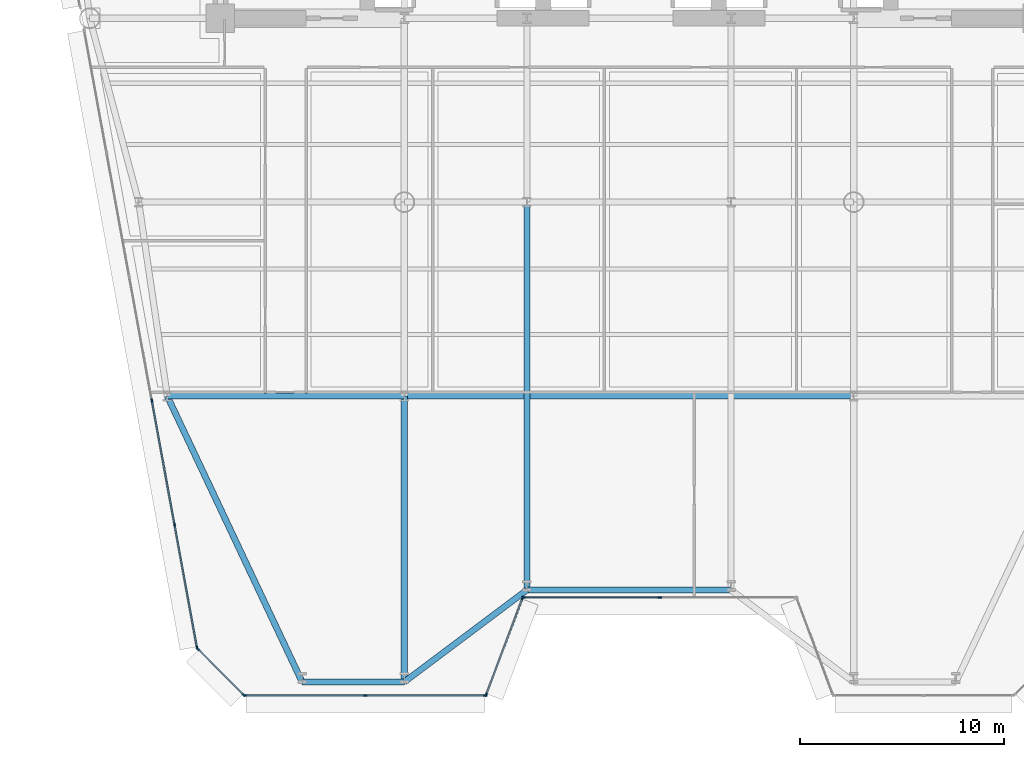
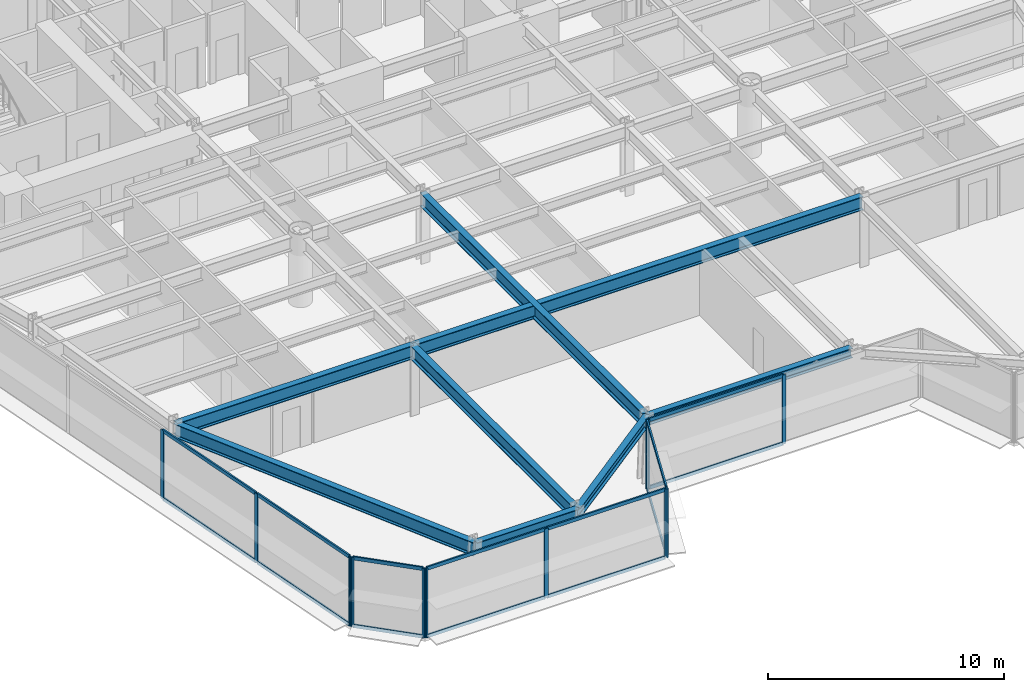
# One storey, part 2 of 14: 26 members, 8 beams, 5 elements without a shape of their own.
"""IFC4 building model written with IfcOpenShell, lengths in metres."""

from ifc_helpers import new_model, si_unit, direction, frame, origin, origin_2d, place, context, subcontext, project, spatial, rectangle, i_section, extrude, source, transform, mapped, material, layer, layer_set, material_profile, profile_set, type_object, element, aggregate, save


model = new_model("IFC4")

# Units and contexts
model_context = context("Model", 3, precision=1e-05, world=origin(), true_north=direction((0.0, 1.0)))
body_context = subcontext(model_context, "Body", "Model", "MODEL_VIEW")
ifc_project = project(units=[si_unit("LENGTHUNIT", "METRE"), si_unit("AREAUNIT", "SQUARE_METRE"), si_unit("VOLUMEUNIT", "CUBIC_METRE"), si_unit("PLANEANGLEUNIT", "RADIAN"), si_unit("MASSUNIT", "GRAM", prefix="KILO")], contexts=[model_context])

# Site, building, storey
site_placement = place(None, origin())
site = spatial("IfcSite", under=ifc_project, at=site_placement, CompositionType="ELEMENT")
building_placement = place(site_placement, origin())
building = spatial("IfcBuilding", under=site, at=building_placement, Name="Vaeldorn Concourse Tower", CompositionType="ELEMENT")
storey_placement = place(building_placement, frame((0.0, 0.0, 92.0)))
storey = spatial("IfcBuildingStorey", under=building, at=storey_placement, Name="L23", CompositionType="ELEMENT", Elevation=92.0)

# Beams
ifc_material_1 = material(Name="Steel S355", Category="steel")
ifc_material_profile_1 = material_profile(ifc_material_1, i_section(OverallWidth=0.300048828125, OverallDepth=0.5, WebThickness=0.014404296875, FlangeThickness=0.028076171875, FilletRadius=0.027099609375, at=origin_2d()), Name="HEB 500")
ifc_profile_set_1 = profile_set([ifc_material_profile_1], Name="Steel S355")
beam_type_1 = type_object("IfcBeamType", Name="BM-SP-HEB500", PredefinedType="SPANDREL", material=ifc_profile_set_1)
shared_shape_1 = source(origin(), body_context, "Body", "SweptSolid", [
    extrude(i_section(OverallWidth=0.300048828125, OverallDepth=0.5, WebThickness=0.014404296875, FlangeThickness=0.028076171875, FilletRadius=0.027099609375, at=origin_2d()), origin(), (0.0, 0.0, 1.0), 5.0),
])
beam_1_placement = place(storey_placement, frame((18.0, 4.008056640625, 3.330078125), z_axis=(1.0, 0.0, 0.0), x_axis=(0.0, 1.0, 0.0)))
element("IfcBeam", 1, at=beam_1_placement, inside=storey, type_object=beam_type_1, Name="Beam BM-L23-C-SF1-C-SF2", PredefinedType="SPANDREL", context=body_context, shape_type="MappedRepresentation", body=[
    mapped(shared_shape_1, transform((0.0, 0.0, 0.0), scale=1.0)),
])
shared_shape_2 = source(origin(), body_context, "Body", "SweptSolid", [
    extrude(i_section(OverallWidth=0.300048828125, OverallDepth=0.5, WebThickness=0.014404296875, FlangeThickness=0.028076171875, FilletRadius=0.027099609375, at=origin_2d()), origin(), (0.0, 0.0, 1.0), 7.5),
])
beam_2_placement = place(storey_placement, frame((23.0, 4.008056640625, 3.330078125), z_axis=(0.8, 0.6, 0.0), x_axis=(-0.6, 0.8, 0.0)))
element("IfcBeam", 2, at=beam_2_placement, inside=storey, type_object=beam_type_1, Name="Beam BM-L23-C-SF2-C-SF3", PredefinedType="SPANDREL", context=body_context, shape_type="MappedRepresentation", body=[
    mapped(shared_shape_2, transform((0.0, 0.0, 0.0), scale=1.0)),
])
shared_shape_3 = source(origin(), body_context, "Body", "SweptSolid", [
    extrude(i_section(OverallWidth=0.300048828125, OverallDepth=0.5, WebThickness=0.014404296875, FlangeThickness=0.028076171875, FilletRadius=0.027099609375, at=origin_2d()), origin(), (0.0, 0.0, 1.0), 10.0),
])
beam_3_placement = place(storey_placement, frame((29.0, 8.508056640625, 3.330078125), z_axis=(1.0, 0.0, 0.0), x_axis=(0.0, 1.0, 0.0)))
element("IfcBeam", 3, at=beam_3_placement, inside=storey, type_object=beam_type_1, Name="Beam BM-L23-C-SF3-C-SF4", PredefinedType="SPANDREL", context=body_context, shape_type="MappedRepresentation", body=[
    mapped(shared_shape_3, transform((0.0, 0.0, 0.0), scale=1.0)),
])
ifc_material_profile_2 = material_profile(ifc_material_1, i_section(OverallWidth=0.300048828125, OverallDepth=0.699951171875, WebThickness=0.01708984375, FlangeThickness=0.031982421875, FilletRadius=0.027099609375, at=origin_2d()), Name="HEB 700")
ifc_profile_set_2 = profile_set([ifc_material_profile_2], Name="Steel S355")
beam_type_2 = type_object("IfcBeamType", Name="BM-PG-HEB700", PredefinedType="BEAM", material=ifc_profile_set_2)
shared_shape_4 = source(origin(), body_context, "Body", "SweptSolid", [
    extrude(i_section(OverallWidth=0.300048828125, OverallDepth=0.699951171875, WebThickness=0.01708984375, FlangeThickness=0.031982421875, FilletRadius=0.027099609375, at=origin_2d()), origin(), (0.0, 0.0, 1.0), 11.60009765625),
])
beam_4_placement = place(storey_placement, frame((11.39990234375, 18.0, 3.22998046875), z_axis=(1.0, 0.0, 0.0), x_axis=(0.0, 1.0, 0.0)))
element("IfcBeam", 4, at=beam_4_placement, inside=storey, type_object=beam_type_2, Name="Beam BM-L23-C-FLW2-C-TW5", PredefinedType="BEAM", context=body_context, shape_type="MappedRepresentation", body=[
    mapped(shared_shape_4, transform((0.0, 0.0, 0.0), scale=1.0)),
])
shared_shape_5 = source(origin(), body_context, "Body", "SweptSolid", [
    extrude(i_section(OverallWidth=0.300048828125, OverallDepth=0.699951171875, WebThickness=0.01708984375, FlangeThickness=0.031982421875, FilletRadius=0.027099609375, at=origin_2d()), origin(), (0.0, 0.0, 1.0), 22.0),
])
beam_5_placement = place(storey_placement, frame((23.0, 18.0, 3.22998046875), z_axis=(1.0, 0.0, 0.0), x_axis=(0.0, 1.0, 0.0)))
element("IfcBeam", 5, at=beam_5_placement, inside=storey, type_object=beam_type_2, Name="Beam BM-L23-C-TW5-C-TW6", PredefinedType="BEAM", context=body_context, shape_type="MappedRepresentation", body=[
    mapped(shared_shape_5, transform((0.0, 0.0, 0.0), scale=1.0)),
])
shared_shape_6 = source(origin(), body_context, "Body", "SweptSolid", [
    extrude(i_section(OverallWidth=0.300048828125, OverallDepth=0.699951171875, WebThickness=0.01708984375, FlangeThickness=0.031982421875, FilletRadius=0.027099609375, at=origin_2d()), origin(), (0.0, 0.0, 1.0), 15.470458984375),
])
beam_6_placement = place(storey_placement, frame((18.0, 4.008056640625, 3.22998046875), z_axis=(-0.42662525191, 0.904428490502, 0.0), x_axis=(-0.904428490502, -0.42662525191, 0.0)))
element("IfcBeam", 6, at=beam_6_placement, inside=storey, type_object=beam_type_2, Name="Beam BM-L23-C-SF1-C-FLW2", PredefinedType="BEAM", context=body_context, shape_type="MappedRepresentation", body=[
    mapped(shared_shape_6, transform((0.0, 0.0, 0.0), scale=1.0)),
])
shared_shape_7 = source(origin(), body_context, "Body", "SweptSolid", [
    extrude(i_section(OverallWidth=0.300048828125, OverallDepth=0.699951171875, WebThickness=0.01708984375, FlangeThickness=0.031982421875, FilletRadius=0.027099609375, at=origin_2d()), origin(), (0.0, 0.0, 1.0), 13.991943359375),
])
beam_7_placement = place(storey_placement, frame((23.0, 4.008056640625, 3.22998046875), z_axis=(0.0, 1.0, 0.0), x_axis=(-1.0, 0.0, 0.0)))
element("IfcBeam", 7, at=beam_7_placement, inside=storey, type_object=beam_type_2, Name="Beam BM-L23-C-SF2-C-TW5", PredefinedType="BEAM", context=body_context, shape_type="MappedRepresentation", body=[
    mapped(shared_shape_7, transform((0.0, 0.0, 0.0), scale=1.0)),
])
shared_shape_8 = source(origin(), body_context, "Body", "SweptSolid", [
    extrude(i_section(OverallWidth=0.300048828125, OverallDepth=0.699951171875, WebThickness=0.01708984375, FlangeThickness=0.031982421875, FilletRadius=0.027099609375, at=origin_2d()), origin(), (0.0, 0.0, 1.0), 18.991943359375),
])
beam_8_placement = place(storey_placement, frame((29.0, 8.508056640625, 3.22998046875), z_axis=(0.0, 1.0, 0.0), x_axis=(-1.0, 0.0, 0.0)))
element("IfcBeam", 8, at=beam_8_placement, inside=storey, type_object=beam_type_2, Name="Beam BM-L23-C-SF3-C-TW2", PredefinedType="BEAM", context=body_context, shape_type="MappedRepresentation", body=[
    mapped(shared_shape_8, transform((0.0, 0.0, 0.0), scale=1.0)),
])

# Curtain wall, members
ifc_material_2 = material(Name="Anodised Bronze Aluminium", Category="aluminium")
ifc_layer = layer(ifc_material_2, 0.199951171875)
ifc_layer_set = layer_set([ifc_layer], Name="Anodised Bronze Aluminium")
curtain_wall_type = type_object("IfcCurtainWallType", Name="CW-SYS-02", PredefinedType="NOTDEFINED", material=ifc_layer_set)
curtain_wall_1_placement = place(storey_placement, origin())
curtain_wall_1 = element("IfcCurtainWall", 9, at=curtain_wall_1_placement, inside=storey, type_object=curtain_wall_type, Name="Unitised Curtain Wall CW-L23-E03-1", PredefinedType="NOTDEFINED")
ifc_material_profile_3 = material_profile(ifc_material_2, rectangle(XDim=0.074951171875, YDim=0.179931640625, at=origin_2d()), Name="CWT 75x180")
ifc_profile_set_3 = profile_set([ifc_material_profile_3], Name="Anodised Bronze Aluminium")
member_type_1 = type_object("IfcMemberType", Name="CWT-BRONZE-180", PredefinedType="USERDEFINED", material=ifc_profile_set_3)
shared_shape_9 = source(origin(), body_context, "Body", "SweptSolid", [
    extrude(rectangle(XDim=0.074951171875, YDim=0.179931640625, at=origin_2d()), origin(), (0.0, 0.0, 1.0), 6.58740234375),
])
member_1_placement = place(storey_placement, frame((28.875, 8.147216796875, 0.03759765625), z_axis=(1.0, 0.0, 0.0), x_axis=(0.0, 1.0, 0.0)))
member_1 = element("IfcMember", 10, at=member_1_placement, type_object=member_type_1, Name="CW-02 transom 1.1", ObjectType="TRANSOM", PredefinedType="USERDEFINED", context=body_context, shape_type="MappedRepresentation", body=[
    mapped(shared_shape_9, transform((0.0, 0.0, 0.0), scale=1.0)),
])
member_2_placement = place(storey_placement, frame((28.875, 8.147216796875, 3.54248046875), z_axis=(1.0, 0.0, 0.0), x_axis=(0.0, 1.0, 0.0)))
member_2 = element("IfcMember", 11, at=member_2_placement, type_object=member_type_1, Name="CW-02 transom 1.2", ObjectType="TRANSOM", PredefinedType="USERDEFINED", context=body_context, shape_type="MappedRepresentation", body=[
    mapped(shared_shape_9, transform((0.0, 0.0, 0.0), scale=1.0)),
])

curtain_wall_2_placement = place(storey_placement, origin())
curtain_wall_2 = element("IfcCurtainWall", 12, at=curtain_wall_2_placement, inside=storey, type_object=curtain_wall_type, Name="Unitised Curtain Wall CW-L23-E02-1", PredefinedType="NOTDEFINED")
shared_shape_10 = source(origin(), body_context, "Body", "SweptSolid", [
    extrude(rectangle(XDim=0.074951171875, YDim=0.179931640625, at=origin_2d()), origin(), (0.0, 0.0, 1.0), 4.9765625),
])
member_3_placement = place(storey_placement, frame((27.0263671875, 3.417236328125, 0.03759765625), z_axis=(0.351112688987, 0.936333209724, 0.0), x_axis=(-0.936333209724, 0.351112688987, 0.0)))
member_3 = element("IfcMember", 13, at=member_3_placement, type_object=member_type_1, Name="CW-02 transom 1.1", ObjectType="TRANSOM", PredefinedType="USERDEFINED", context=body_context, shape_type="MappedRepresentation", body=[
    mapped(shared_shape_10, transform((0.0, 0.0, 0.0), scale=1.0)),
])
member_4_placement = place(storey_placement, frame((27.0263671875, 3.417236328125, 3.54248046875), z_axis=(0.351112688987, 0.936333209724, 0.0), x_axis=(-0.936333209724, 0.351112688987, 0.0)))
member_4 = element("IfcMember", 14, at=member_4_placement, type_object=member_type_1, Name="CW-02 transom 1.2", ObjectType="TRANSOM", PredefinedType="USERDEFINED", context=body_context, shape_type="MappedRepresentation", body=[
    mapped(shared_shape_10, transform((0.0, 0.0, 0.0), scale=1.0)),
])

curtain_wall_3_placement = place(storey_placement, origin())
curtain_wall_3 = element("IfcCurtainWall", 15, at=curtain_wall_3_placement, inside=storey, type_object=curtain_wall_type, Name="Unitised Curtain Wall CW-L23-E12-1", PredefinedType="NOTDEFINED")
shared_shape_11 = source(origin(), body_context, "Body", "SweptSolid", [
    extrude(rectangle(XDim=0.074951171875, YDim=0.179931640625, at=origin_2d()), origin(), (0.0, 0.0, 1.0), 3.1025390625),
])
member_5_placement = place(storey_placement, frame((12.915771484375, 5.593994140625, 0.03759765625), z_axis=(0.707106781187, -0.707106781187, 0.0), x_axis=(0.707106781187, 0.707106781187, 0.0)))
member_5 = element("IfcMember", 16, at=member_5_placement, type_object=member_type_1, Name="CW-02 transom 1.1", ObjectType="TRANSOM", PredefinedType="USERDEFINED", context=body_context, shape_type="MappedRepresentation", body=[
    mapped(shared_shape_11, transform((0.0, 0.0, 0.0), scale=1.0)),
])
member_6_placement = place(storey_placement, frame((12.915771484375, 5.593994140625, 3.54248046875), z_axis=(0.707106781187, -0.707106781187, 0.0), x_axis=(0.707106781187, 0.707106781187, 0.0)))
member_6 = element("IfcMember", 17, at=member_6_placement, type_object=member_type_1, Name="CW-02 transom 1.2", ObjectType="TRANSOM", PredefinedType="USERDEFINED", context=body_context, shape_type="MappedRepresentation", body=[
    mapped(shared_shape_11, transform((0.0, 0.0, 0.0), scale=1.0)),
])

curtain_wall_4_placement = place(storey_placement, origin())
curtain_wall_4 = element("IfcCurtainWall", 18, at=curtain_wall_4_placement, inside=storey, type_object=curtain_wall_type, Name="Unitised Curtain Wall CW-L23-E01-1", PredefinedType="NOTDEFINED")
shared_shape_12 = source(origin(), body_context, "Body", "SweptSolid", [
    extrude(rectangle(XDim=0.074951171875, YDim=0.179931640625, at=origin_2d()), origin(), (0.0, 0.0, 1.0), 5.80615234375),
])
member_7_placement = place(storey_placement, frame((15.23779296875, 3.34716796875, 0.03759765625), z_axis=(1.0, 0.0, 0.0), x_axis=(0.0, 1.0, 0.0)))
member_7 = element("IfcMember", 19, at=member_7_placement, type_object=member_type_1, Name="CW-02 transom 1.1", ObjectType="TRANSOM", PredefinedType="USERDEFINED", context=body_context, shape_type="MappedRepresentation", body=[
    mapped(shared_shape_12, transform((0.0, 0.0, 0.0), scale=1.0)),
])
member_8_placement = place(storey_placement, frame((15.23779296875, 3.34716796875, 3.54248046875), z_axis=(1.0, 0.0, 0.0), x_axis=(0.0, 1.0, 0.0)))
member_8 = element("IfcMember", 20, at=member_8_placement, type_object=member_type_1, Name="CW-02 transom 1.2", ObjectType="TRANSOM", PredefinedType="USERDEFINED", context=body_context, shape_type="MappedRepresentation", body=[
    mapped(shared_shape_12, transform((0.0, 0.0, 0.0), scale=1.0)),
])
member_9_placement = place(storey_placement, frame((21.118896484375, 3.34716796875, 0.03759765625), z_axis=(1.0, 0.0, 0.0), x_axis=(0.0, 1.0, 0.0)))
member_9 = element("IfcMember", 21, at=member_9_placement, type_object=member_type_1, Name="CW-02 transom 2.1", ObjectType="TRANSOM", PredefinedType="USERDEFINED", context=body_context, shape_type="MappedRepresentation", body=[
    mapped(shared_shape_12, transform((0.0, 0.0, 0.0), scale=1.0)),
])
member_10_placement = place(storey_placement, frame((21.118896484375, 3.34716796875, 3.54248046875), z_axis=(1.0, 0.0, 0.0), x_axis=(0.0, 1.0, 0.0)))
member_10 = element("IfcMember", 22, at=member_10_placement, type_object=member_type_1, Name="CW-02 transom 2.2", ObjectType="TRANSOM", PredefinedType="USERDEFINED", context=body_context, shape_type="MappedRepresentation", body=[
    mapped(shared_shape_12, transform((0.0, 0.0, 0.0), scale=1.0)),
])
ifc_material_profile_4 = material_profile(ifc_material_2, rectangle(XDim=0.074951171875, YDim=0.18994140625, at=origin_2d()), Name="CWM 75x190")
ifc_profile_set_4 = profile_set([ifc_material_profile_4], Name="Anodised Bronze Aluminium")
member_type_2 = type_object("IfcMemberType", Name="CWM-BRONZE-190", PredefinedType="MULLION", material=ifc_profile_set_4)
shared_shape_13 = source(origin(), body_context, "Body", "SweptSolid", [
    extrude(rectangle(XDim=0.074951171875, YDim=0.18994140625, at=origin_2d()), origin(), (0.0, 0.0, 1.0), 3.580078125),
])
member_11_placement = place(storey_placement, frame((15.2001953125, 3.34716796875, 0.0), z_axis=(0.0, 0.0, 1.0), x_axis=(0.0, 1.0, 0.0)))
member_11 = element("IfcMember", 23, at=member_11_placement, type_object=member_type_2, Name="CW-02 mullion 1", PredefinedType="MULLION", context=body_context, shape_type="MappedRepresentation", body=[
    mapped(shared_shape_13, transform((0.0, 0.0, 0.0), scale=1.0)),
])
member_12_placement = place(storey_placement, frame((21.081298828125, 3.34716796875, 0.0), z_axis=(0.0, 0.0, 1.0), x_axis=(0.0, 1.0, 0.0)))
member_12 = element("IfcMember", 24, at=member_12_placement, type_object=member_type_2, Name="CW-02 mullion 2", PredefinedType="MULLION", context=body_context, shape_type="MappedRepresentation", body=[
    mapped(shared_shape_13, transform((0.0, 0.0, 0.0), scale=1.0)),
])
member_13_placement = place(storey_placement, frame((26.96240234375, 3.34716796875, 0.0), z_axis=(0.0, 0.0, 1.0), x_axis=(0.0, 1.0, 0.0)))
member_13 = element("IfcMember", 25, at=member_13_placement, type_object=member_type_2, Name="CW-02 mullion 3", PredefinedType="MULLION", context=body_context, shape_type="MappedRepresentation", body=[
    mapped(shared_shape_13, transform((0.0, 0.0, 0.0), scale=1.0)),
])
aggregate(curtain_wall_4, [member_11, member_12, member_13, member_7, member_8, member_9, member_10])

# Member
member_14_placement = place(storey_placement, frame((27.01318359375, 3.38232421875, 0.0), z_axis=(0.0, 0.0, 1.0), x_axis=(-0.936329177566, 0.351123441595, 0.0)))
member_14 = element("IfcMember", 26, at=member_14_placement, type_object=member_type_2, Name="CW-02 mullion 1", PredefinedType="MULLION", context=body_context, shape_type="MappedRepresentation", body=[
    mapped(shared_shape_13, transform((0.0, 0.0, 0.0), scale=1.0)),
])

member_15_placement = place(storey_placement, frame((28.786865234375, 8.112060546875, 0.0), z_axis=(0.0, 0.0, 1.0), x_axis=(-0.936329177566, 0.351123441595, 0.0)))
member_15 = element("IfcMember", 27, at=member_15_placement, type_object=member_type_2, Name="CW-02 mullion 2", PredefinedType="MULLION", context=body_context, shape_type="MappedRepresentation", body=[
    mapped(shared_shape_13, transform((0.0, 0.0, 0.0), scale=1.0)),
])

aggregate(curtain_wall_2, [member_14, member_15, member_3, member_4])

member_16_placement = place(storey_placement, frame((28.83740234375, 8.147216796875, 0.0), z_axis=(0.0, 0.0, 1.0), x_axis=(0.0, 1.0, 0.0)))
member_16 = element("IfcMember", 28, at=member_16_placement, type_object=member_type_2, Name="CW-02 mullion 1", PredefinedType="MULLION", context=body_context, shape_type="MappedRepresentation", body=[
    mapped(shared_shape_13, transform((0.0, 0.0, 0.0), scale=1.0)),
])

member_17_placement = place(storey_placement, frame((35.5, 8.147216796875, 0.0), z_axis=(0.0, 0.0, 1.0), x_axis=(0.0, 1.0, 0.0)))
member_17 = element("IfcMember", 29, at=member_17_placement, type_object=member_type_2, Name="CW-02 mullion 2", PredefinedType="MULLION", context=body_context, shape_type="MappedRepresentation", body=[
    mapped(shared_shape_13, transform((0.0, 0.0, 0.0), scale=1.0)),
])

aggregate(curtain_wall_1, [member_16, member_17, member_1, member_2])

# Curtain wall, members
curtain_wall_5_placement = place(storey_placement, origin())
curtain_wall_5 = element("IfcCurtainWall", 30, at=curtain_wall_5_placement, inside=storey, type_object=curtain_wall_type, Name="Unitised Curtain Wall CW-L23-E11-2", PredefinedType="NOTDEFINED")
member_18_placement = place(storey_placement, frame((10.646728515625, 17.781005859375, 0.0), z_axis=(0.0, 0.0, 1.0), x_axis=(0.983729411039, 0.179656466224, 0.0)))
member_18 = element("IfcMember", 31, at=member_18_placement, type_object=member_type_2, Name="CW-02 mullion 4", PredefinedType="MULLION", context=body_context, shape_type="MappedRepresentation", body=[
    mapped(shared_shape_13, transform((0.0, 0.0, 0.0), scale=1.0)),
])
member_19_placement = place(storey_placement, frame((11.754638671875, 11.714111328125, 0.0), z_axis=(0.0, 0.0, 1.0), x_axis=(0.983729411039, 0.179656466224, 0.0)))
member_19 = element("IfcMember", 32, at=member_19_placement, type_object=member_type_2, Name="CW-02 mullion 5", PredefinedType="MULLION", context=body_context, shape_type="MappedRepresentation", body=[
    mapped(shared_shape_13, transform((0.0, 0.0, 0.0), scale=1.0)),
])
member_20_placement = place(storey_placement, frame((12.85595703125, 5.68408203125, 0.0), z_axis=(0.0, 0.0, 1.0), x_axis=(0.983729411039, 0.179656466224, 0.0)))
member_20 = element("IfcMember", 33, at=member_20_placement, type_object=member_type_2, Name="CW-02 mullion 6", PredefinedType="MULLION", context=body_context, shape_type="MappedRepresentation", body=[
    mapped(shared_shape_13, transform((0.0, 0.0, 0.0), scale=1.0)),
])

# Member
member_21_placement = place(storey_placement, frame((12.88916015625, 5.62060546875, 0.0), z_axis=(0.0, 0.0, 1.0), x_axis=(0.707106781187, 0.707106781187, 0.0)))
member_21 = element("IfcMember", 34, at=member_21_placement, type_object=member_type_2, Name="CW-02 mullion 1", PredefinedType="MULLION", context=body_context, shape_type="MappedRepresentation", body=[
    mapped(shared_shape_13, transform((0.0, 0.0, 0.0), scale=1.0)),
])

member_22_placement = place(storey_placement, frame((15.13623046875, 3.37353515625, 0.0), z_axis=(0.0, 0.0, 1.0), x_axis=(0.707106781187, 0.707106781187, 0.0)))
member_22 = element("IfcMember", 35, at=member_22_placement, type_object=member_type_2, Name="CW-02 mullion 2", PredefinedType="MULLION", context=body_context, shape_type="MappedRepresentation", body=[
    mapped(shared_shape_13, transform((0.0, 0.0, 0.0), scale=1.0)),
])

aggregate(curtain_wall_3, [member_21, member_22, member_5, member_6])

shared_shape_14 = source(origin(), body_context, "Body", "SweptSolid", [
    extrude(rectangle(XDim=0.074951171875, YDim=0.179931640625, at=origin_2d()), origin(), (0.0, 0.0, 1.0), 6.0546875),
])
member_23_placement = place(storey_placement, frame((11.761474609375, 11.67724609375, 0.03759765625), z_axis=(0.179634083524, -0.983733498482, 0.0), x_axis=(0.983733498482, 0.179634083524, 0.0)))
member_23 = element("IfcMember", 36, at=member_23_placement, type_object=member_type_1, Name="CW-02 transom 5.1", ObjectType="TRANSOM", PredefinedType="USERDEFINED", context=body_context, shape_type="MappedRepresentation", body=[
    mapped(shared_shape_14, transform((0.0, 0.0, 0.0), scale=1.0)),
])

member_24_placement = place(storey_placement, frame((11.761474609375, 11.67724609375, 3.54248046875), z_axis=(0.179634083524, -0.983733498482, 0.0), x_axis=(0.983733498482, 0.179634083524, 0.0)))
member_24 = element("IfcMember", 37, at=member_24_placement, type_object=member_type_1, Name="CW-02 transom 5.2", ObjectType="TRANSOM", PredefinedType="USERDEFINED", context=body_context, shape_type="MappedRepresentation", body=[
    mapped(shared_shape_14, transform((0.0, 0.0, 0.0), scale=1.0)),
])

shared_shape_15 = source(origin(), body_context, "Body", "SweptSolid", [
    extrude(rectangle(XDim=0.074951171875, YDim=0.179931640625, at=origin_2d()), origin(), (0.0, 0.0, 1.0), 6.09228515625),
])
member_25_placement = place(storey_placement, frame((10.6533203125, 17.744140625, 0.03759765625), z_axis=(0.179689412448, -0.983723393569, 0.0), x_axis=(0.983723393569, 0.179689412448, 0.0)))
member_25 = element("IfcMember", 38, at=member_25_placement, type_object=member_type_1, Name="CW-02 transom 4.1", ObjectType="TRANSOM", PredefinedType="USERDEFINED", context=body_context, shape_type="MappedRepresentation", body=[
    mapped(shared_shape_15, transform((0.0, 0.0, 0.0), scale=1.0)),
])

member_26_placement = place(storey_placement, frame((10.6533203125, 17.744140625, 3.54248046875), z_axis=(0.179689412448, -0.983723393569, 0.0), x_axis=(0.983723393569, 0.179689412448, 0.0)))
member_26 = element("IfcMember", 39, at=member_26_placement, type_object=member_type_1, Name="CW-02 transom 4.2", ObjectType="TRANSOM", PredefinedType="USERDEFINED", context=body_context, shape_type="MappedRepresentation", body=[
    mapped(shared_shape_15, transform((0.0, 0.0, 0.0), scale=1.0)),
])

aggregate(curtain_wall_5, [member_18, member_19, member_20, member_25, member_26, member_23, member_24])

save(model, "model.ifc")
